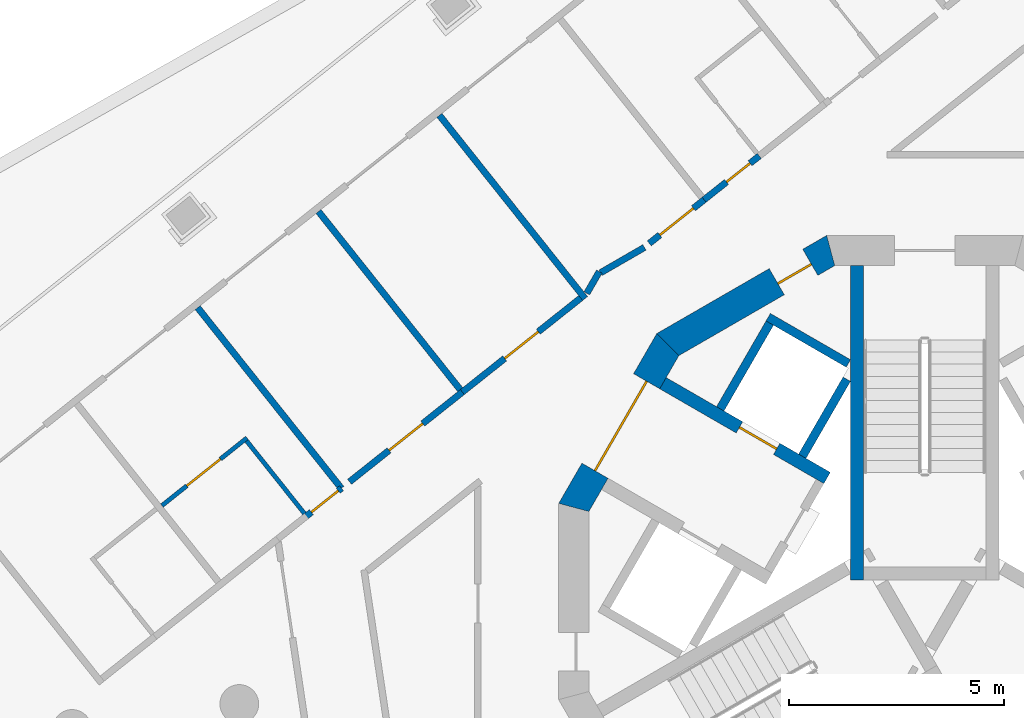
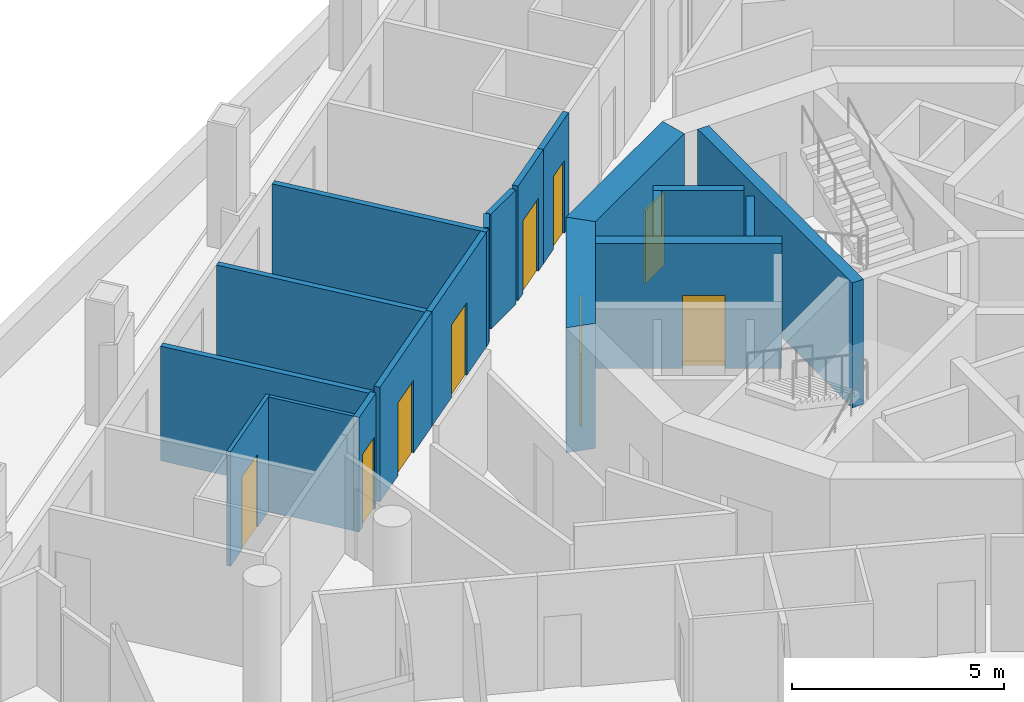
# One storey, part 6 of 16: 19 walls, 9 doors, 9 openings.
"""IFC4 building model written with IfcOpenShell, lengths in metres."""

from ifc_helpers import new_model, si_unit, direction, frame, frame_2d, origin, place, context, subcontext, project, spatial, polyline, rectangle, outline, extrude, material, layer, layer_set, type_object, element, fill, save


model = new_model("IFC4")

# Units and contexts
model_context = context("Model", 3, precision=1e-05, world=origin(), true_north=direction((0.0, 1.0)))
body_context = subcontext(model_context, "Body", "Model", "MODEL_VIEW")
ifc_project = project(units=[si_unit("LENGTHUNIT", "METRE"), si_unit("AREAUNIT", "SQUARE_METRE"), si_unit("VOLUMEUNIT", "CUBIC_METRE"), si_unit("PLANEANGLEUNIT", "RADIAN"), si_unit("MASSUNIT", "GRAM", prefix="KILO")], contexts=[model_context])

# Site, building, storey
site_placement = place(None, origin())
site = spatial("IfcSite", under=ifc_project, at=site_placement, CompositionType="ELEMENT")
building_placement = place(site_placement, origin())
building = spatial("IfcBuilding", under=site, at=building_placement, Name="Trine Commons Tower", CompositionType="ELEMENT")
storey_placement = place(building_placement, frame((0.0, 0.0, 198.0)))
storey = spatial("IfcBuildingStorey", under=building, at=storey_placement, Name="L51", CompositionType="ELEMENT", Elevation=198.0)

# Wall, opening, door
ifc_material_1 = material(Name="Concrete C60/75", Category="concrete")
ifc_layer_1 = layer(ifc_material_1, 0.300048828125)
ifc_layer_set_1 = layer_set([ifc_layer_1], Name="Concrete C60/75")
wall_type_1 = type_object("IfcWallType", Name="RC shear wall 300 mm, C60/75", PredefinedType="SHEAR", material=ifc_layer_set_1)
wall_1_placement = place(storey_placement, frame((77.73095703125, 65.368896484375, 0.0), z_axis=(0.0, 0.0, 1.0), x_axis=(-0.866035918664, 0.499981787252, 0.0)))
wall_1 = element("IfcWall", 1, at=wall_1_placement, inside=storey, type_object=wall_type_1, Name="Core cross wall SWC-02 L51", PredefinedType="SHEAR", context=body_context, shape_type="SweptSolid", body=[
    extrude(rectangle(XDim=4.400634765625, YDim=0.300048828125, at=frame_2d((2.2001953125, 0.0))), origin(), (0.0, 0.0, 1.0), 3.60009765625),
])
opening_1_placement = place(wall_1_placement, frame((1.3505859375, 0.0, 0.0)))
opening_1 = element("IfcOpeningElement", 2, at=opening_1_placement, cuts=wall_1, Name="Opening LD8", PredefinedType="OPENING", context=body_context, shape_type="SweptSolid", body=[
    extrude(rectangle(XDim=1.0, YDim=2.10009765625, at=frame_2d((0.5, 1.050048828125))), frame((0.0, 0.159912109375, 0.0), z_axis=(0.0, -1.0, 0.0), x_axis=(1.0, 0.0, 0.0)), (0.0, 0.0, 1.0), 0.320068359375),
])
ifc_material_2 = material(Name="Stainless steel sliding door leaves", Category="steel")
door_type_1 = type_object("IfcDoorType", Name="Lift landing door, centre-opening sliding 1000 x 2100, FD90", OperationType="DOUBLE_DOOR_SLIDING", PredefinedType="DOOR", material=ifc_material_2)
door_1_placement = place(opening_1_placement, origin())
door_1 = element("IfcDoor", 3, at=door_1_placement, inside=storey, type_object=door_type_1, Name="Lift landing door HR4 L51", OperationType="DOUBLE_DOOR_SLIDING", OverallHeight=2.10009765625, OverallWidth=1.0, PredefinedType="DOOR", context=body_context, shape_type="SweptSolid", body=[
    extrude(rectangle(XDim=1.0, YDim=2.10009765625, at=frame_2d((0.5, 1.050048828125))), frame((0.0, 0.02490234375, 0.0), z_axis=(0.0, -1.0, 0.0), x_axis=(1.0, 0.0, 0.0)), (0.0, 0.0, 1.0), 0.050048828125),
])
fill(opening_1, door_1)

# Wall
wall_2_placement = place(storey_placement, frame((78.425048828125, 63.0009765625, 0.0), z_axis=(0.0, 0.0, 1.0), x_axis=(0.0, 1.0, 0.0)))
element("IfcWall", 4, at=wall_2_placement, inside=storey, type_object=wall_type_1, Name="Core cross wall SWC-08 L51", PredefinedType="SHEAR", context=body_context, shape_type="SweptSolid", body=[
    extrude(rectangle(XDim=7.299072265625, YDim=0.300048828125, at=frame_2d((3.6494140625, 0.0))), origin(), (0.0, 0.0, 1.0), 3.60009765625),
])

# Wall, opening, door
ifc_layer_2 = layer(ifc_material_1, 0.699951171875)
ifc_layer_set_2 = layer_set([ifc_layer_2], Name="Concrete C60/75")
wall_type_2 = type_object("IfcWallType", Name="RC shear wall 700 mm, C60/75", PredefinedType="SHEAR", material=ifc_layer_set_2)
wall_3_placement = place(storey_placement, frame((77.8974609375, 70.697021484375, 0.0), z_axis=(0.0, 0.0, 1.0), x_axis=(-0.866034756103, -0.499983800959, 0.0)))
wall_3 = element("IfcWall", 5, at=wall_3_placement, inside=storey, type_object=wall_type_2, Name="Core wall CWF-05 L51", PredefinedType="SHEAR", context=body_context, shape_type="SweptSolid", body=[
    extrude(outline(polyline([(0.0, -0.35009765625), (4.55517578125, -0.35009765625), (4.36767578125, 0.35009765625), (0.1875, 0.35009765625), (0.0, -0.35009765625)])), origin(), (0.0, 0.0, 1.0), 3.60009765625),
])
opening_2_placement = place(wall_3_placement, frame((0.641845703125, 0.0, 0.0)))
opening_2 = element("IfcOpeningElement", 6, at=opening_2_placement, cuts=wall_3, Name="Opening K15.15", PredefinedType="OPENING", context=body_context, shape_type="SweptSolid", body=[
    extrude(rectangle(XDim=0.89990234375, YDim=2.10009765625, at=frame_2d((0.449951171875, 1.050048828125))), frame((0.0, 0.35986328125, 0.0), z_axis=(0.0, -1.0, 0.0), x_axis=(1.0, 0.0, 0.0)), (0.0, 0.0, 1.0), 0.719970703125),
])
ifc_material_3 = material(Name="Steel door leaf, fire-rated", Category="steel")
door_type_2 = type_object("IfcDoorType", Name="Core room door, single leaf 900 x 2100, FD30S", OperationType="SINGLE_SWING_LEFT", PredefinedType="DOOR", material=ifc_material_3)
door_2_placement = place(opening_2_placement, origin())
door_2 = element("IfcDoor", 7, at=door_2_placement, inside=storey, type_object=door_type_2, Name="Door to Accessible WC L51", OperationType="SINGLE_SWING_LEFT", OverallHeight=2.10009765625, OverallWidth=0.89990234375, PredefinedType="DOOR", context=body_context, shape_type="SweptSolid", body=[
    extrude(rectangle(XDim=0.89990234375, YDim=2.10009765625, at=frame_2d((0.449951171875, 1.050048828125))), frame((0.0, 0.0751953125, 0.0), z_axis=(0.0, -1.0, 0.0), x_axis=(1.0, 0.0, 0.0)), (0.0, 0.0, 1.0), 0.050048828125),
])
fill(opening_2, door_2)

wall_4_placement = place(storey_placement, frame((74.08056640625, 68.547607421875, 0.0), z_axis=(0.0, 0.0, 1.0), x_axis=(-0.499983800959, -0.866034756103, 0.0)))
wall_4 = element("IfcWall", 8, at=wall_4_placement, inside=storey, type_object=wall_type_2, Name="Core wall CWF-06 L51", PredefinedType="SHEAR", context=body_context, shape_type="SweptSolid", body=[
    extrude(outline(polyline([(0.0, -0.35009765625), (4.55517578125, -0.35009765625), (4.36767578125, 0.35009765625), (0.1875, 0.35009765625), (0.0, -0.35009765625)])), origin(), (0.0, 0.0, 1.0), 3.60009765625),
])
opening_3_placement = place(wall_4_placement, frame((1.077392578125, 0.0, 0.0)))
opening_3 = element("IfcOpeningElement", 9, at=opening_3_placement, cuts=wall_4, Name="Opening K15.06", PredefinedType="OPENING", context=body_context, shape_type="SweptSolid", body=[
    extrude(rectangle(XDim=2.39990234375, YDim=2.10009765625, at=frame_2d((1.199951171875, 1.050048828125))), frame((0.0, 0.35986328125, 0.0), z_axis=(0.0, -1.0, 0.0), x_axis=(1.0, 0.0, 0.0)), (0.0, 0.0, 1.0), 0.719970703125),
])
ifc_material_4 = material(Name="Steel door leaves, fire-rated", Category="steel")
door_type_3 = type_object("IfcDoorType", Name="Lobby door, double leaf 2400 x 2100, FD60", OperationType="DOUBLE_DOOR_SINGLE_SWING", PredefinedType="DOOR", material=ifc_material_4)
door_3_placement = place(opening_3_placement, origin())
door_3 = element("IfcDoor", 10, at=door_3_placement, inside=storey, type_object=door_type_3, Name="Lobby door, Passenger lift lobby B L51", OperationType="DOUBLE_DOOR_SINGLE_SWING", OverallHeight=2.10009765625, OverallWidth=2.39990234375, PredefinedType="DOOR", context=body_context, shape_type="SweptSolid", body=[
    extrude(rectangle(XDim=2.39990234375, YDim=2.10009765625, at=frame_2d((1.199951171875, 1.050048828125))), frame((0.0, 0.02490234375, 0.0), z_axis=(0.0, -1.0, 0.0), x_axis=(1.0, 0.0, 0.0)), (0.0, 0.0, 1.0), 0.050048828125),
])
fill(opening_3, door_3)

# Walls
ifc_material_5 = material(Name="Fire-rated gypsum shaft wall system")
ifc_layer_3 = layer(ifc_material_5, 0.199951171875)
ifc_layer_set_3 = layer_set([ifc_layer_3], Name="Fire-rated gypsum shaft wall system")
wall_type_3 = type_object("IfcWallType", Name="Shaft wall 200 mm, EI 120", PredefinedType="PARTITIONING", material=ifc_layer_set_3)
wall_5_placement = place(storey_placement, frame((75.2509765625, 66.97412109375, 0.0), z_axis=(0.0, 0.0, 1.0), x_axis=(0.500136062276, 0.86594683394, 0.0)))
element("IfcWall", 11, at=wall_5_placement, inside=storey, type_object=wall_type_3, Name="Shaft wall L51", PredefinedType="PARTITIONING", context=body_context, shape_type="SweptSolid", body=[
    extrude(rectangle(XDim=2.299072265625, YDim=0.199951171875, at=frame_2d((1.1494140625, 0.0))), origin(), (0.0, 0.0, 1.0), 3.300048828125),
])
wall_6_placement = place(storey_placement, frame((77.156005859375, 65.8740234375, 0.0), z_axis=(0.0, 0.0, 1.0), x_axis=(0.499865770674, 0.866102887253, 0.0)))
element("IfcWall", 12, at=wall_6_placement, inside=storey, type_object=wall_type_3, Name="Shaft wall L51", PredefinedType="PARTITIONING", context=body_context, shape_type="SweptSolid", body=[
    extrude(rectangle(XDim=2.064453125, YDim=0.199951171875, at=frame_2d((1.0322265625, 0.0))), origin(), (0.0, 0.0, 1.0), 3.300048828125),
])
wall_7_placement = place(storey_placement, frame((78.22509765625, 68.028076171875, 0.0), z_axis=(0.0, 0.0, 1.0), x_axis=(-0.866130725101, 0.499817533742, 0.0)))
element("IfcWall", 13, at=wall_7_placement, inside=storey, type_object=wall_type_3, Name="Shaft wall L51", PredefinedType="PARTITIONING", context=body_context, shape_type="SweptSolid", body=[
    extrude(rectangle(XDim=2.148681640625, YDim=0.199951171875, at=frame_2d((1.07421875, 0.0))), origin(), (0.0, 0.0, 1.0), 3.300048828125),
])
ifc_material_6 = material(Name="Gypsum plasterboard on steel stud", Category="steel")
ifc_layer_4 = layer(ifc_material_6, 0.14990234375)
ifc_layer_set_4 = layer_set([ifc_layer_4], Name="Gypsum plasterboard on steel stud")
wall_type_4 = type_object("IfcWallType", Name="Unit and corridor wall 150 mm, EI 60", PredefinedType="PARTITIONING", material=ifc_layer_set_4)
wall_8_placement = place(storey_placement, frame((63.116943359375, 69.32373046875, 0.0), z_axis=(0.0, 0.0, 1.0), x_axis=(0.622425914019, -0.7826787218, 0.0)))
element("IfcWall", 14, at=wall_8_placement, inside=storey, type_object=wall_type_4, Name="Partition 014", PredefinedType="PARTITIONING", context=body_context, shape_type="SweptSolid", body=[
    extrude(rectangle(XDim=5.359619140625, YDim=0.14990234375, at=frame_2d((2.6796875, 0.0))), origin(), (0.0, 0.0, 1.0), 3.300048828125),
])

# Wall, opening, door
wall_9_placement = place(storey_placement, frame((65.600830078125, 64.450927734375, 0.0), z_axis=(0.0, 0.0, 1.0), x_axis=(0.782653002217, 0.622458254119, 0.0)))
wall_9 = element("IfcWall", 15, at=wall_9_placement, inside=storey, type_object=wall_type_4, Name="Partition 020", PredefinedType="PARTITIONING", context=body_context, shape_type="SweptSolid", body=[
    extrude(rectangle(XDim=1.0927734375, YDim=0.14990234375, at=frame_2d((0.54638671875, 0.0))), origin(), (0.0, 0.0, 1.0), 3.300048828125),
])
opening_4_placement = place(wall_9_placement, frame((0.198486328125, 0.0, 0.0)))
opening_4 = element("IfcOpeningElement", 16, at=opening_4_placement, cuts=wall_9, Name="Opening D-6A06", PredefinedType="OPENING", context=body_context, shape_type="SweptSolid", body=[
    extrude(rectangle(XDim=0.800048828125, YDim=2.10009765625, at=frame_2d((0.39990234375, 1.050048828125))), frame((0.0, 0.0849609375, 0.0), z_axis=(0.0, -1.0, 0.0), x_axis=(1.0, 0.0, 0.0)), (0.0, 0.0, 1.0), 0.169921875),
])
ifc_material_7 = material(Name="Timber fire door set", Category="wood")
door_type_4 = type_object("IfcDoorType", Name="Bedroom door 800 x 2100, FD30S", OperationType="NOTDEFINED", PredefinedType="DOOR", material=ifc_material_7)
door_4_placement = place(opening_4_placement, origin())
door_4 = element("IfcDoor", 17, at=door_4_placement, inside=storey, type_object=door_type_4, Name="Door D-6A06", OperationType="SINGLE_SWING_RIGHT", OverallHeight=2.10009765625, OverallWidth=0.800048828125, PredefinedType="DOOR", context=body_context, shape_type="SweptSolid", body=[
    extrude(rectangle(XDim=0.800048828125, YDim=2.10009765625, at=frame_2d((0.39990234375, 1.050048828125))), frame((0.0, 0.02490234375, 0.0), z_axis=(0.0, -1.0, 0.0), x_axis=(1.0, 0.0, 0.0)), (0.0, 0.0, 1.0), 0.050048828125),
])
fill(opening_4, door_4)

# Wall
wall_10_placement = place(storey_placement, frame((65.9228515625, 71.5556640625, 0.0), z_axis=(0.0, 0.0, 1.0), x_axis=(0.622585933561, -0.782551439416, 0.0)))
element("IfcWall", 18, at=wall_10_placement, inside=storey, type_object=wall_type_4, Name="Partition 021", PredefinedType="PARTITIONING", context=body_context, shape_type="SweptSolid", body=[
    extrude(rectangle(XDim=5.28515625, YDim=0.14990234375, at=frame_2d((2.642578125, 0.0))), origin(), (0.0, 0.0, 1.0), 3.300048828125),
])

# Wall, opening, door
wall_11_placement = place(storey_placement, frame((66.64306640625, 65.280029296875, 0.0), z_axis=(0.0, 0.0, 1.0), x_axis=(0.782743987557, 0.622343835788, 0.0)))
wall_11 = element("IfcWall", 19, at=wall_11_placement, inside=storey, type_object=wall_type_4, Name="Partition 023", PredefinedType="PARTITIONING", context=body_context, shape_type="SweptSolid", body=[
    extrude(rectangle(XDim=3.346923828125, YDim=0.14990234375, at=frame_2d((1.67333984375, 0.0))), origin(), (0.0, 0.0, 1.0), 3.300048828125),
])
opening_5_placement = place(wall_11_placement, frame((1.171875, 0.0, 0.0)))
opening_5 = element("IfcOpeningElement", 20, at=opening_5_placement, cuts=wall_11, Name="Opening D-6A07", PredefinedType="OPENING", context=body_context, shape_type="SweptSolid", body=[
    extrude(rectangle(XDim=1.0, YDim=2.10009765625, at=frame_2d((0.5, 1.050048828125))), frame((0.0, 0.0849609375, 0.0), z_axis=(0.0, -1.0, 0.0), x_axis=(1.0, 0.0, 0.0)), (0.0, 0.0, 1.0), 0.169921875),
])
ifc_material_8 = material(Name="Painted timber", Category="wood")
door_type_5 = type_object("IfcDoorType", Name="Amenity room door 1000 x 2100, NOT RATED", OperationType="NOTDEFINED", PredefinedType="DOOR", material=ifc_material_8)
door_5_placement = place(opening_5_placement, origin())
door_5 = element("IfcDoor", 21, at=door_5_placement, inside=storey, type_object=door_type_5, Name="Door D-6A07", OperationType="SINGLE_SWING_LEFT", OverallHeight=2.10009765625, OverallWidth=1.0, PredefinedType="DOOR", context=body_context, shape_type="SweptSolid", body=[
    extrude(rectangle(XDim=1.0, YDim=2.10009765625, at=frame_2d((0.5, 1.050048828125))), frame((0.0, 0.02490234375, 0.0), z_axis=(0.0, -1.0, 0.0), x_axis=(1.0, 0.0, 0.0)), (0.0, 0.0, 1.0), 0.050048828125),
])
fill(opening_5, door_5)

# Wall
wall_12_placement = place(storey_placement, frame((68.72998046875, 73.788818359375, 0.0), z_axis=(0.0, 0.0, 1.0), x_axis=(0.622457280045, -0.782653776915, 0.0)))
element("IfcWall", 22, at=wall_12_placement, inside=storey, type_object=wall_type_4, Name="Partition 029", PredefinedType="PARTITIONING", context=body_context, shape_type="SweptSolid", body=[
    extrude(rectangle(XDim=5.4345703125, YDim=0.14990234375, at=frame_2d((2.71728515625, 0.0))), origin(), (0.0, 0.0, 1.0), 3.300048828125),
])

# Wall, opening, door
wall_13_placement = place(storey_placement, frame((69.257080078125, 67.35888671875, 0.0), z_axis=(0.0, 0.0, 1.0), x_axis=(0.782922929563, 0.622118707615, 0.0)))
wall_13 = element("IfcWall", 23, at=wall_13_placement, inside=storey, type_object=wall_type_4, Name="Partition 031", PredefinedType="PARTITIONING", context=body_context, shape_type="SweptSolid", body=[
    extrude(rectangle(XDim=3.517822265625, YDim=0.14990234375, at=frame_2d((1.7587890625, 0.0))), origin(), (0.0, 0.0, 1.0), 3.300048828125),
])
opening_6_placement = place(wall_13_placement, frame((1.2607421875, 0.0, 0.0)))
opening_6 = element("IfcOpeningElement", 24, at=opening_6_placement, cuts=wall_13, Name="Opening D-6A08", PredefinedType="OPENING", context=body_context, shape_type="SweptSolid", body=[
    extrude(rectangle(XDim=1.0, YDim=2.10009765625, at=frame_2d((0.5, 1.050048828125))), frame((0.0, 0.0849609375, 0.0), z_axis=(0.0, -1.0, 0.0), x_axis=(1.0, 0.0, 0.0)), (0.0, 0.0, 1.0), 0.169921875),
])
door_6_placement = place(opening_6_placement, origin())
door_6 = element("IfcDoor", 25, at=door_6_placement, inside=storey, type_object=door_type_5, Name="Door D-6A08", OperationType="SINGLE_SWING_RIGHT", OverallHeight=2.10009765625, OverallWidth=1.0, PredefinedType="DOOR", context=body_context, shape_type="SweptSolid", body=[
    extrude(rectangle(XDim=1.0, YDim=2.10009765625, at=frame_2d((0.5, 1.050048828125))), frame((0.0, 0.02490234375, 0.0), z_axis=(0.0, -1.0, 0.0), x_axis=(1.0, 0.0, 0.0)), (0.0, 0.0, 1.0), 0.050048828125),
])
fill(opening_6, door_6)

# Walls
wall_14_placement = place(storey_placement, frame((72.152099609375, 69.656005859375, 0.0), z_axis=(0.0, 0.0, 1.0), x_axis=(0.499165076137, 0.866506910973, 0.0)))
element("IfcWall", 26, at=wall_14_placement, inside=storey, type_object=wall_type_4, Name="Partition 037", PredefinedType="PARTITIONING", context=body_context, shape_type="SweptSolid", body=[
    extrude(rectangle(XDim=0.58154296875, YDim=0.14990234375, at=frame_2d((0.290771484375, 0.0))), origin(), (0.0, 0.0, 1.0), 3.300048828125),
])
wall_15_placement = place(storey_placement, frame((72.469970703125, 70.132568359375, 0.0), z_axis=(0.0, 0.0, 1.0), x_axis=(0.865861083349, 0.5002845034, 0.0)))
element("IfcWall", 27, at=wall_15_placement, inside=storey, type_object=wall_type_4, Name="Partition 039", PredefinedType="PARTITIONING", context=body_context, shape_type="SweptSolid", body=[
    extrude(rectangle(XDim=1.177978515625, YDim=0.14990234375, at=frame_2d((0.5888671875, 0.0))), origin(), (0.0, 0.0, 1.0), 3.300048828125),
])

# Wall, opening, door
wall_16_placement = place(storey_placement, frame((73.60302734375, 70.81591796875, 0.0), z_axis=(0.0, 0.0, 1.0), x_axis=(0.782783875515, 0.622293663983, 0.0)))
wall_16 = element("IfcWall", 28, at=wall_16_placement, inside=storey, type_object=wall_type_4, Name="Partition 041", PredefinedType="PARTITIONING", context=body_context, shape_type="SweptSolid", body=[
    extrude(rectangle(XDim=1.626220703125, YDim=0.14990234375, at=frame_2d((0.81298828125, 0.0))), origin(), (0.0, 0.0, 1.0), 3.300048828125),
])
opening_7_placement = place(wall_16_placement, frame((0.311279296875, 0.0, 0.0)))
opening_7 = element("IfcOpeningElement", 29, at=opening_7_placement, cuts=wall_16, Name="Opening D-6A09", PredefinedType="OPENING", context=body_context, shape_type="SweptSolid", body=[
    extrude(rectangle(XDim=1.0, YDim=2.10009765625, at=frame_2d((0.5, 1.050048828125))), frame((0.0, 0.0849609375, 0.0), z_axis=(0.0, -1.0, 0.0), x_axis=(1.0, 0.0, 0.0)), (0.0, 0.0, 1.0), 0.169921875),
])
door_type_6 = type_object("IfcDoorType", Name="Toilet door 1000 x 2100, NOT RATED", OperationType="NOTDEFINED", PredefinedType="DOOR", material=ifc_material_8)
door_7_placement = place(opening_7_placement, origin())
door_7 = element("IfcDoor", 30, at=door_7_placement, inside=storey, type_object=door_type_6, Name="Door D-6A09", OperationType="SINGLE_SWING_LEFT", OverallHeight=2.10009765625, OverallWidth=1.0, PredefinedType="DOOR", context=body_context, shape_type="SweptSolid", body=[
    extrude(rectangle(XDim=1.0, YDim=2.10009765625, at=frame_2d((0.5, 1.050048828125))), frame((0.0, 0.02490234375, 0.0), z_axis=(0.0, -1.0, 0.0), x_axis=(1.0, 0.0, 0.0)), (0.0, 0.0, 1.0), 0.050048828125),
])
fill(opening_7, door_7)

wall_17_placement = place(storey_placement, frame((74.8701171875, 71.823974609375, 0.0), z_axis=(0.0, 0.0, 1.0), x_axis=(0.782865951336, 0.622190406739, 0.0)))
wall_17 = element("IfcWall", 31, at=wall_17_placement, inside=storey, type_object=wall_type_4, Name="Partition 045", PredefinedType="PARTITIONING", context=body_context, shape_type="SweptSolid", body=[
    extrude(rectangle(XDim=1.642578125, YDim=0.14990234375, at=frame_2d((0.8212890625, 0.0))), origin(), (0.0, 0.0, 1.0), 3.300048828125),
])
opening_8_placement = place(wall_17_placement, frame((0.671142578125, 0.0, 0.0)))
opening_8 = element("IfcOpeningElement", 32, at=opening_8_placement, cuts=wall_17, Name="Opening D-6A10", PredefinedType="OPENING", context=body_context, shape_type="SweptSolid", body=[
    extrude(rectangle(XDim=0.699951171875, YDim=2.10009765625, at=frame_2d((0.35009765625, 1.050048828125))), frame((0.0, 0.0849609375, 0.0), z_axis=(0.0, -1.0, 0.0), x_axis=(1.0, 0.0, 0.0)), (0.0, 0.0, 1.0), 0.169921875),
])
door_type_7 = type_object("IfcDoorType", Name="Bedroom door 700 x 2100, FD30S", OperationType="NOTDEFINED", PredefinedType="DOOR", material=ifc_material_7)
door_8_placement = place(opening_8_placement, origin())
door_8 = element("IfcDoor", 33, at=door_8_placement, inside=storey, type_object=door_type_7, Name="Door D-6A10", OperationType="SINGLE_SWING_RIGHT", OverallHeight=2.10009765625, OverallWidth=0.699951171875, PredefinedType="DOOR", context=body_context, shape_type="SweptSolid", body=[
    extrude(rectangle(XDim=0.699951171875, YDim=2.10009765625, at=frame_2d((0.35009765625, 1.050048828125))), frame((0.0, 0.02490234375, 0.0), z_axis=(0.0, -1.0, 0.0), x_axis=(1.0, 0.0, 0.0)), (0.0, 0.0, 1.0), 0.050048828125),
])
fill(opening_8, door_8)

ifc_layer_5 = layer(ifc_material_6, 0.10009765625)
ifc_layer_set_5 = layer_set([ifc_layer_5], Name="Gypsum plasterboard on steel stud")
wall_type_5 = type_object("IfcWallType", Name="Unit partition 100 mm, no rating", PredefinedType="PARTITIONING", material=ifc_layer_set_5)
wall_18_placement = place(storey_placement, frame((62.28662109375, 64.727783203125, 0.0), z_axis=(0.0, 0.0, 1.0), x_axis=(0.782639605126, 0.622475098689, 0.0)))
wall_18 = element("IfcWall", 34, at=wall_18_placement, inside=storey, type_object=wall_type_5, Name="Partition 012", PredefinedType="PARTITIONING", context=body_context, shape_type="SweptSolid", body=[
    extrude(rectangle(XDim=2.524169921875, YDim=0.10009765625, at=frame_2d((1.26220703125, 0.0))), origin(), (0.0, 0.0, 1.0), 3.300048828125),
])
opening_9_placement = place(wall_18_placement, frame((0.737060546875, 0.0, 0.0)))
opening_9 = element("IfcOpeningElement", 35, at=opening_9_placement, cuts=wall_18, Name="Opening D-6A30", PredefinedType="OPENING", context=body_context, shape_type="SweptSolid", body=[
    extrude(rectangle(XDim=1.0, YDim=2.10009765625, at=frame_2d((0.5, 1.050048828125))), frame((0.0, 0.06005859375, 0.0), z_axis=(0.0, -1.0, 0.0), x_axis=(1.0, 0.0, 0.0)), (0.0, 0.0, 1.0), 0.1201171875),
])
door_type_8 = type_object("IfcDoorType", Name="Internal door 1000 x 2100, NOT RATED", OperationType="NOTDEFINED", PredefinedType="DOOR", material=ifc_material_8)
door_9_placement = place(opening_9_placement, origin())
door_9 = element("IfcDoor", 36, at=door_9_placement, inside=storey, type_object=door_type_8, Name="Door D-6A30", OperationType="SINGLE_SWING_LEFT", OverallHeight=2.10009765625, OverallWidth=1.0, PredefinedType="DOOR", context=body_context, shape_type="SweptSolid", body=[
    extrude(rectangle(XDim=1.0, YDim=2.10009765625, at=frame_2d((0.5, 1.050048828125))), frame((0.0, 0.02490234375, 0.0), z_axis=(0.0, -1.0, 0.0), x_axis=(1.0, 0.0, 0.0)), (0.0, 0.0, 1.0), 0.050048828125),
])
fill(opening_9, door_9)

# Wall
wall_19_placement = place(storey_placement, frame((64.254150390625, 66.22900390625, 0.0), z_axis=(0.0, 0.0, 1.0), x_axis=(0.622717500652, -0.782446748591, 0.0)))
element("IfcWall", 37, at=wall_19_placement, inside=storey, type_object=wall_type_5, Name="Partition 015", PredefinedType="PARTITIONING", context=body_context, shape_type="SweptSolid", body=[
    extrude(rectangle(XDim=2.155029296875, YDim=0.10009765625, at=frame_2d((1.07763671875, 0.0))), origin(), (0.0, 0.0, 1.0), 3.300048828125),
])

save(model, "model.ifc")
